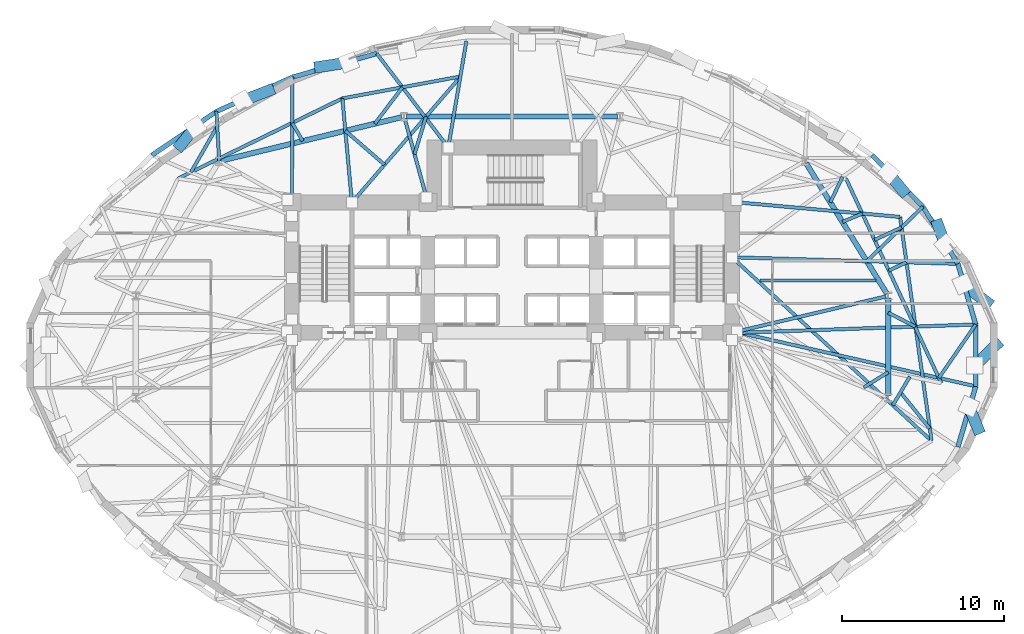
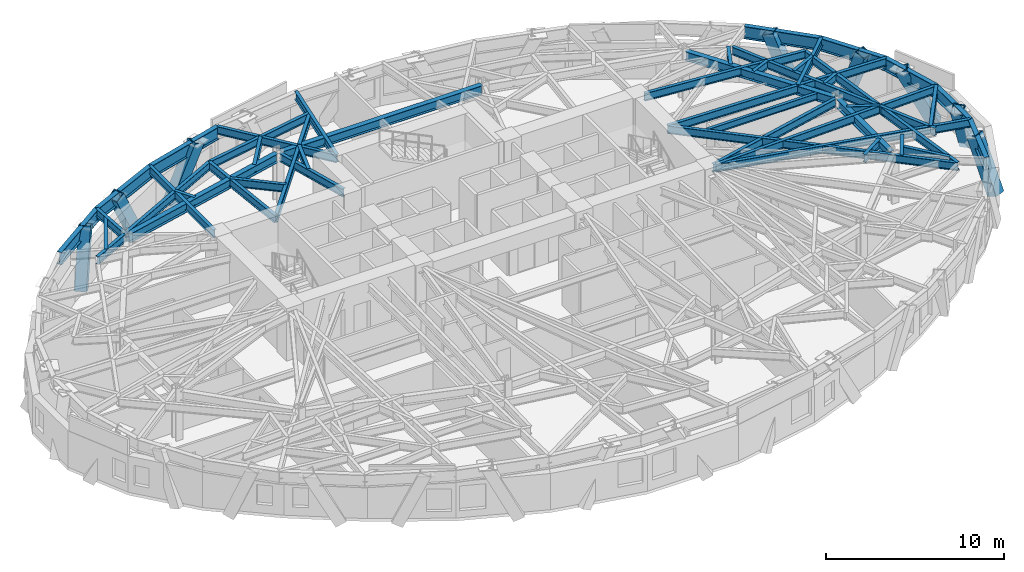
# One storey, part 4 of 14: 45 beams, 8 members.
"""IFC4 building model written with IfcOpenShell, lengths in metres."""

from ifc_helpers import new_model, si_unit, direction, frame, origin, origin_2d, place, context, subcontext, project, spatial, hollow_rectangle, i_section, extrude, material, material_profile, profile_set, type_object, element, save


model = new_model("IFC4")

# Units and contexts
model_context = context("Model", 3, precision=1e-05, world=origin(), true_north=direction((0.0, 1.0)))
body_context = subcontext(model_context, "Body", "Model", "MODEL_VIEW")
ifc_project = project(units=[si_unit("LENGTHUNIT", "METRE"), si_unit("AREAUNIT", "SQUARE_METRE"), si_unit("VOLUMEUNIT", "CUBIC_METRE"), si_unit("PLANEANGLEUNIT", "RADIAN"), si_unit("MASSUNIT", "GRAM", prefix="KILO")], contexts=[model_context])

# Site, building, storey
site_placement = place(None, origin())
site = spatial("IfcSite", under=ifc_project, at=site_placement, CompositionType="ELEMENT")
building_placement = place(site_placement, origin())
building = spatial("IfcBuilding", under=site, at=building_placement, Name="Keldmark Tower", CompositionType="ELEMENT")
storey_placement = place(building_placement, frame((0.0, 0.0, 73.800048828125)))
storey = spatial("IfcBuildingStorey", under=building, at=storey_placement, Name="L19", CompositionType="ELEMENT", Elevation=73.800048828125)

# Beam
ifc_material_1 = material(Name="Steel ASTM A992 Grade 50", Category="steel")
ifc_material_profile_1 = material_profile(ifc_material_1, i_section(OverallWidth=0.19091796875, OverallDepth=0.45703125, WebThickness=0.009033203125, FlangeThickness=0.014404296875, at=origin_2d()), Name="W18X50")
ifc_profile_set_1 = profile_set([ifc_material_profile_1], Name="Steel ASTM A992 Grade 50")
beam_type_1 = type_object("IfcBeamType", Name="Composite Floor Joist W18X50", PredefinedType="JOIST", material=ifc_profile_set_1)
beam_1_placement = place(storey_placement, frame((15.313720703125, 4.6201171875, 3.13134765625), z_axis=(1.0, 0.0, 0.0), x_axis=(0.0, 1.0, 0.0)))
element("IfcBeam", 1, at=beam_1_placement, inside=storey, type_object=beam_type_1, Name="L19 Composite Floor Joist J09", PredefinedType="JOIST", context=body_context, shape_type="SweptSolid", body=[
    extrude(i_section(OverallWidth=0.19091796875, OverallDepth=0.45703125, WebThickness=0.009033203125, FlangeThickness=0.014404296875, at=origin_2d()), origin(), (0.0, 0.0, 1.0), 7.17578125),
])

# Members
ifc_material_2 = material(Name="Steel ASTM A572 Grade 50", Category="steel")
ifc_material_profile_2 = material_profile(ifc_material_2, hollow_rectangle(XDim=0.699951171875, YDim=0.699951171875, WallThickness=0.054931640625, at=origin_2d()), Name="BOX700X700X55")
ifc_profile_set_2 = profile_set([ifc_material_profile_2], Name="Steel ASTM A572 Grade 50")
member_type = type_object("IfcMemberType", Name="Diagrid Zone 1 Brace BOX700X700X55", PredefinedType="BRACE", material=ifc_profile_set_2)
member_1_placement = place(storey_placement, frame((29.375244140625, 3.27001953125, -0.280029296875), z_axis=(-0.37757544969, 0.284113759132, 0.88131501273), x_axis=(-0.601261799092, -0.799052094017, 0.0)))
element("IfcMember", 2, at=member_1_placement, inside=storey, type_object=member_type, Name="L19 Perimeter Diagrid Brace 01A", PredefinedType="BRACE", context=body_context, shape_type="SweptSolid", body=[
    extrude(hollow_rectangle(XDim=0.699951171875, YDim=0.699951171875, WallThickness=0.054931640625, at=origin_2d()), origin(), (0.0, 0.0, 1.0), 3.994140625),
])
member_2_placement = place(storey_placement, frame((26.325439453125, 8.06640625, -0.280029296875), z_axis=(0.121424360733, -0.331239945047, 0.935700926272), x_axis=(0.938904059166, 0.344178976234, 0.0)))
element("IfcMember", 3, at=member_2_placement, inside=storey, type_object=member_type, Name="L19 Perimeter Diagrid Brace 01B", PredefinedType="BRACE", context=body_context, shape_type="SweptSolid", body=[
    extrude(hollow_rectangle(XDim=0.699951171875, YDim=0.699951171875, WallThickness=0.054931640625, at=origin_2d()), origin(), (0.0, 0.0, 1.0), 3.761962890625),
])
member_3_placement = place(storey_placement, frame((24.177001953125, 10.166259765625, -0.280029296875), z_axis=(-0.242141041562, 0.293391556055, 0.924818420463), x_axis=(-0.771253245277, -0.636528421714, 0.0)))
element("IfcMember", 4, at=member_3_placement, inside=storey, type_object=member_type, Name="L19 Perimeter Diagrid Brace 02A", PredefinedType="BRACE", context=body_context, shape_type="SweptSolid", body=[
    extrude(hollow_rectangle(XDim=0.699951171875, YDim=0.699951171875, WallThickness=0.054931640625, at=origin_2d()), origin(), (0.0, 0.0, 1.0), 3.80615234375),
])
member_4_placement = place(storey_placement, frame((-11.904052734375, 17.832275390625, -0.280029296875), z_axis=(0.45861610418, 0.07120375951, 0.885777225728), x_axis=(-0.153419788368, 0.988161104546, 0.0)))
element("IfcMember", 5, at=member_4_placement, inside=storey, type_object=member_type, Name="L19 Perimeter Diagrid Brace 05B", PredefinedType="BRACE", context=body_context, shape_type="SweptSolid", body=[
    extrude(hollow_rectangle(XDim=0.699951171875, YDim=0.699951171875, WallThickness=0.054931640625, at=origin_2d()), origin(), (0.0, 0.0, 1.0), 3.973876953125),
])
member_5_placement = place(storey_placement, frame((-15.006103515625, 16.376953125, -0.280029296875), z_axis=(-0.423112479896, -0.164090510389, 0.891094907266), x_axis=(0.361578591551, -0.932341633808, 0.0)))
element("IfcMember", 6, at=member_5_placement, inside=storey, type_object=member_type, Name="L19 Perimeter Diagrid Brace 06A", PredefinedType="BRACE", context=body_context, shape_type="SweptSolid", body=[
    extrude(hollow_rectangle(XDim=0.699951171875, YDim=0.699951171875, WallThickness=0.054931640625, at=origin_2d()), origin(), (0.0, 0.0, 1.0), 3.9501953125),
])
member_6_placement = place(storey_placement, frame((-20.49462890625, 12.9912109375, -0.280029296875), z_axis=(0.244267448421, 0.297588932837, 0.922916161249), x_axis=(-0.772956287319, 0.634459279933, 0.0)))
element("IfcMember", 7, at=member_6_placement, inside=storey, type_object=member_type, Name="L19 Perimeter Diagrid Brace 06B", PredefinedType="BRACE", context=body_context, shape_type="SweptSolid", body=[
    extrude(hollow_rectangle(XDim=0.699951171875, YDim=0.699951171875, WallThickness=0.054931640625, at=origin_2d()), origin(), (0.0, 0.0, 1.0), 3.81396484375),
])
member_7_placement = place(storey_placement, frame((28.808349609375, -4.53076171875, -0.280029296875), z_axis=(-0.149368240201, 0.362477989142, 0.919945018035), x_axis=(-0.924576949637, -0.380995359814, 0.0)))
element("IfcMember", 8, at=member_7_placement, inside=storey, type_object=member_type, Name="L19 Perimeter Diagrid Brace 16A", PredefinedType="BRACE", context=body_context, shape_type="SweptSolid", body=[
    extrude(hollow_rectangle(XDim=0.699951171875, YDim=0.699951171875, WallThickness=0.054931640625, at=origin_2d()), origin(), (0.0, 0.0, 1.0), 3.826416015625),
])
member_8_placement = place(storey_placement, frame((29.9443359375, 0.673828125, -0.280029296875), z_axis=(-0.336785212573, -0.327293992946, 0.882867126341), x_axis=(0.696929421312, -0.717139722585, 0.0)))
element("IfcMember", 9, at=member_8_placement, inside=storey, type_object=member_type, Name="L19 Perimeter Diagrid Brace 16B", PredefinedType="BRACE", context=body_context, shape_type="SweptSolid", body=[
    extrude(hollow_rectangle(XDim=0.699951171875, YDim=0.699951171875, WallThickness=0.054931640625, at=origin_2d()), origin(), (0.0, 0.0, 1.0), 3.987060546875),
])

# Beams
ifc_material_3 = material(Name="Steel ASTM A992 Grade 50", Category="steel")
ifc_material_profile_3 = material_profile(ifc_material_3, i_section(OverallWidth=0.323974609375, OverallDepth=0.611083984375, WebThickness=0.0126953125, FlangeThickness=0.01904296875, at=origin_2d()), Name="W24X104")
ifc_profile_set_3 = profile_set([ifc_material_profile_3], Name="Steel ASTM A992 Grade 50")
beam_type_2 = type_object("IfcBeamType", Name="Primary Floor Girder W24X104", PredefinedType="BEAM", material=ifc_profile_set_3)
beam_2_placement = place(storey_placement, frame((23.180419921875, 3.796142578125, 3.054443359375), z_axis=(-0.526318405849, 0.850287560573, 0.0), x_axis=(-0.850287560573, -0.526318405849, 0.0)))
element("IfcBeam", 10, at=beam_2_placement, inside=storey, type_object=beam_type_2, Name="L19 Floor Ring Girder FG-R01", PredefinedType="BEAM", context=body_context, shape_type="SweptSolid", body=[
    extrude(i_section(OverallWidth=0.323974609375, OverallDepth=0.611083984375, WebThickness=0.0126953125, FlangeThickness=0.01904296875, at=origin_2d()), origin(), (0.0, 0.0, 1.0), 9.51708984375),
])
beam_3_placement = place(storey_placement, frame((6.525146484375, 14.760009765625, 3.054443359375), z_axis=(-1.0, 0.0, 0.0), x_axis=(0.0, -1.0, 0.0)))
element("IfcBeam", 11, at=beam_3_placement, inside=storey, type_object=beam_type_2, Name="L19 Floor Ring Girder FG-R03", PredefinedType="BEAM", context=body_context, shape_type="SweptSolid", body=[
    extrude(i_section(OverallWidth=0.323974609375, OverallDepth=0.611083984375, WebThickness=0.0126953125, FlangeThickness=0.01904296875, at=origin_2d()), origin(), (0.0, 0.0, 1.0), 13.05029296875),
])
beam_4_placement = place(storey_placement, frame((-6.80126953125, 14.727294921875, 3.054443359375), z_axis=(-0.972218707757, -0.2340743136, 0.0), x_axis=(0.2340743136, -0.972218707757, 0.0)))
element("IfcBeam", 12, at=beam_4_placement, inside=storey, type_object=beam_type_2, Name="L19 Floor Ring Girder FG-R04", PredefinedType="BEAM", context=body_context, shape_type="SweptSolid", body=[
    extrude(i_section(OverallWidth=0.323974609375, OverallDepth=0.611083984375, WebThickness=0.0126953125, FlangeThickness=0.01904296875, at=origin_2d()), origin(), (0.0, 0.0, 1.0), 11.479248046875),
])
beam_5_placement = place(storey_placement, frame((23.25390625, -2.47314453125, 3.054443359375), z_axis=(0.0, 1.0, 0.0), x_axis=(-1.0, 0.0, 0.0)))
element("IfcBeam", 13, at=beam_5_placement, inside=storey, type_object=beam_type_2, Name="L19 Floor Ring Girder FG-R12", PredefinedType="BEAM", context=body_context, shape_type="SweptSolid", body=[
    extrude(i_section(OverallWidth=0.323974609375, OverallDepth=0.611083984375, WebThickness=0.0126953125, FlangeThickness=0.01904296875, at=origin_2d()), origin(), (0.0, 0.0, 1.0), 6.01025390625),
])
ifc_material_4 = material(Name="Steel ASTM A992 Grade 50", Category="steel")
ifc_material_profile_4 = material_profile(ifc_material_4, i_section(OverallWidth=0.2099609375, OverallDepth=0.537109375, WebThickness=0.010986328125, FlangeThickness=0.017333984375, at=origin_2d()), Name="W21X68")
ifc_profile_set_4 = profile_set([ifc_material_profile_4], Name="Steel ASTM A992 Grade 50")
beam_type_3 = type_object("IfcBeamType", Name="Radial Tie Girder W21X68", PredefinedType="BEAM", material=ifc_profile_set_4)
beam_6_placement = place(storey_placement, frame((-6.023681640625, 12.43505859375, 3.091552734375), z_axis=(0.292695535951, 0.956205690861, 0.0), x_axis=(-0.956205690861, 0.292695535951, 0.0)))
element("IfcBeam", 14, at=beam_6_placement, inside=storey, type_object=beam_type_3, Name="L19 Framing Pin Header PH-004", PredefinedType="BEAM", context=body_context, shape_type="SweptSolid", body=[
    extrude(i_section(OverallWidth=0.2099609375, OverallDepth=0.537109375, WebThickness=0.010986328125, FlangeThickness=0.017333984375, at=origin_2d()), origin(), (0.0, 0.0, 1.0), 2.431396484375),
])
beam_7_placement = place(storey_placement, frame((-9.892822265625, 9.449951171875, 3.091552734375), z_axis=(0.653199645418, 0.757185725714, 0.0), x_axis=(-0.757185725714, 0.653199645418, 0.0)))
element("IfcBeam", 15, at=beam_7_placement, inside=storey, type_object=beam_type_3, Name="L19 Sub-Ring Step Girder STP1-M04", PredefinedType="BEAM", context=body_context, shape_type="SweptSolid", body=[
    extrude(i_section(OverallWidth=0.2099609375, OverallDepth=0.537109375, WebThickness=0.010986328125, FlangeThickness=0.017333984375, at=origin_2d()), origin(), (0.0, 0.0, 1.0), 10.2880859375),
])
beam_8_placement = place(storey_placement, frame((-7.876708984375, 11.787109375, 3.091552734375), z_axis=(-0.756086045055, 0.654472224371, 0.0), x_axis=(-0.654472224371, -0.756086045055, 0.0)))
element("IfcBeam", 16, at=beam_8_placement, inside=storey, type_object=beam_type_3, Name="L19 Framing Pin Header PH-005", PredefinedType="BEAM", context=body_context, shape_type="SweptSolid", body=[
    extrude(i_section(OverallWidth=0.2099609375, OverallDepth=0.537109375, WebThickness=0.010986328125, FlangeThickness=0.017333984375, at=origin_2d()), origin(), (0.0, 0.0, 1.0), 3.205078125),
])
beam_9_placement = place(storey_placement, frame((-9.892822265625, 9.449951171875, 3.091552734375), z_axis=(-0.091445392317, 0.995810092449, 0.0), x_axis=(-0.995810092449, -0.091445392317, 0.0)))
element("IfcBeam", 17, at=beam_9_placement, inside=storey, type_object=beam_type_3, Name="L19 Sub-Ring Step Girder STP1-M05", PredefinedType="BEAM", context=body_context, shape_type="SweptSolid", body=[
    extrude(i_section(OverallWidth=0.2099609375, OverallDepth=0.537109375, WebThickness=0.010986328125, FlangeThickness=0.017333984375, at=origin_2d()), origin(), (0.0, 0.0, 1.0), 6.4609375),
])
beam_10_placement = place(storey_placement, frame((21.740234375, -1.98388671875, 3.091552734375), z_axis=(0.847321968581, 0.531079543533, 0.0), x_axis=(-0.531079543533, 0.847321968581, 0.0)))
element("IfcBeam", 18, at=beam_10_placement, inside=storey, type_object=beam_type_3, Name="L19 Framing Pin Header PH-008", PredefinedType="BEAM", context=body_context, shape_type="SweptSolid", body=[
    extrude(i_section(OverallWidth=0.2099609375, OverallDepth=0.537109375, WebThickness=0.010986328125, FlangeThickness=0.017333984375, at=origin_2d()), origin(), (0.0, 0.0, 1.0), 1.786376953125),
])
beam_11_placement = place(storey_placement, frame((-3.172607421875, 17.239990234375, 3.091552734375), z_axis=(-0.983226438752, -0.182389062555, 0.0), x_axis=(0.182389062555, -0.983226438752, 0.0)))
element("IfcBeam", 19, at=beam_11_placement, inside=storey, type_object=beam_type_3, Name="L19 Perimeter Collector Ring Beam CRG1-M04", PredefinedType="BEAM", context=body_context, shape_type="SweptSolid", body=[
    extrude(i_section(OverallWidth=0.2099609375, OverallDepth=0.537109375, WebThickness=0.010986328125, FlangeThickness=0.017333984375, at=origin_2d()), origin(), (0.0, 0.0, 1.0), 7.435791015625),
])
beam_12_placement = place(storey_placement, frame((-10.483642578125, 15.8837890625, 3.091552734375), z_axis=(-0.898887784258, -0.438178903316, 0.0), x_axis=(0.438178903316, -0.898887784258, 0.0)))
element("IfcBeam", 20, at=beam_12_placement, inside=storey, type_object=beam_type_3, Name="L19 Perimeter Collector Ring Beam CRG1-M05", PredefinedType="BEAM", context=body_context, shape_type="SweptSolid", body=[
    extrude(i_section(OverallWidth=0.2099609375, OverallDepth=0.537109375, WebThickness=0.010986328125, FlangeThickness=0.017333984375, at=origin_2d()), origin(), (0.0, 0.0, 1.0), 11.30224609375),
])
beam_13_placement = place(storey_placement, frame((26.531982421875, -1.709228515625, 3.091552734375), z_axis=(-0.422294024081, 0.906458910942, 0.0), x_axis=(-0.906458910942, -0.422294024081, 0.0)))
element("IfcBeam", 21, at=beam_13_placement, inside=storey, type_object=beam_type_3, Name="L19 Perimeter Collector Ring Beam CRG1-M12", PredefinedType="BEAM", context=body_context, shape_type="SweptSolid", body=[
    extrude(i_section(OverallWidth=0.2099609375, OverallDepth=0.537109375, WebThickness=0.010986328125, FlangeThickness=0.017333984375, at=origin_2d()), origin(), (0.0, 0.0, 1.0), 13.945068359375),
])
beam_14_placement = place(storey_placement, frame((20.42529296875, 8.246826171875, 3.091552734375), z_axis=(0.920297918394, 0.391218278457, 0.0), x_axis=(-0.391218278457, 0.920297918394, 0.0)))
element("IfcBeam", 22, at=beam_14_placement, inside=storey, type_object=beam_type_3, Name="L19 Framing Pin Header PH-009", PredefinedType="BEAM", context=body_context, shape_type="SweptSolid", body=[
    extrude(i_section(OverallWidth=0.2099609375, OverallDepth=0.537109375, WebThickness=0.010986328125, FlangeThickness=0.017333984375, at=origin_2d()), origin(), (0.0, 0.0, 1.0), 1.331787109375),
])
beam_15_placement = place(storey_placement, frame((14.050048828125, 9.449951171875, 3.091552734375), z_axis=(0.995997234425, -0.089384053491, 0.0), x_axis=(0.089384053491, 0.995997234425, 0.0)))
element("IfcBeam", 23, at=beam_15_placement, inside=storey, type_object=beam_type_3, Name="L19 Sub-Ring Step Girder STP2-M01", PredefinedType="BEAM", context=body_context, shape_type="SweptSolid", body=[
    extrude(i_section(OverallWidth=0.2099609375, OverallDepth=0.537109375, WebThickness=0.010986328125, FlangeThickness=0.017333984375, at=origin_2d()), origin(), (0.0, 0.0, 1.0), 9.977783203125),
])
beam_16_placement = place(storey_placement, frame((24.592041015625, -1.310302734375, 3.091552734375), z_axis=(-0.511652587051, -0.859192429066, 0.0), x_axis=(0.859192429066, -0.511652587051, 0.0)))
element("IfcBeam", 24, at=beam_16_placement, inside=storey, type_object=beam_type_3, Name="L19 Framing Pin Header PH-013", PredefinedType="BEAM", context=body_context, shape_type="SweptSolid", body=[
    extrude(i_section(OverallWidth=0.2099609375, OverallDepth=0.537109375, WebThickness=0.010986328125, FlangeThickness=0.017333984375, at=origin_2d()), origin(), (0.0, 0.0, 1.0), 2.060302734375),
])
beam_17_placement = place(storey_placement, frame((13.60009765625, 6.064208984375, 3.091552734375), z_axis=(0.735853189051, -0.677141110968, 0.0), x_axis=(0.677141110968, 0.735853189051, 0.0)))
element("IfcBeam", 25, at=beam_17_placement, inside=storey, type_object=beam_type_3, Name="L19 Sub-Ring Step Girder STP2-M12", PredefinedType="BEAM", context=body_context, shape_type="SweptSolid", body=[
    extrude(i_section(OverallWidth=0.2099609375, OverallDepth=0.537109375, WebThickness=0.010986328125, FlangeThickness=0.017333984375, at=origin_2d()), origin(), (0.0, 0.0, 1.0), 16.7578125),
])
beam_18_placement = place(storey_placement, frame((25.931396484375, -5.283203125, 3.091552734375), z_axis=(-0.139056245502, 0.990284484674, 0.0), x_axis=(-0.990284484674, -0.139056245502, 0.0)))
element("IfcBeam", 26, at=beam_18_placement, inside=storey, type_object=beam_type_3, Name="L19 Perimeter Collector Ring Beam CRG2-M12", PredefinedType="BEAM", context=body_context, shape_type="SweptSolid", body=[
    extrude(i_section(OverallWidth=0.2099609375, OverallDepth=0.537109375, WebThickness=0.010986328125, FlangeThickness=0.017333984375, at=origin_2d()), origin(), (0.0, 0.0, 1.0), 13.97705078125),
])
beam_19_placement = place(storey_placement, frame((23.25390625, 2.635498046875, 3.091552734375), z_axis=(0.891932970561, -0.452167641507, 0.0), x_axis=(0.452167641507, 0.891932970561, 0.0)))
element("IfcBeam", 27, at=beam_19_placement, inside=storey, type_object=beam_type_3, Name="L19 Framing Pin Header PH-014", PredefinedType="BEAM", context=body_context, shape_type="SweptSolid", body=[
    extrude(i_section(OverallWidth=0.2099609375, OverallDepth=0.537109375, WebThickness=0.010986328125, FlangeThickness=0.017333984375, at=origin_2d()), origin(), (0.0, 0.0, 1.0), 1.8896484375),
])
beam_20_placement = place(storey_placement, frame((14.050048828125, 1.39990234375, 3.091552734375), z_axis=(0.999387875349, 0.034983919243, 0.0), x_axis=(-0.034983919243, 0.999387875349, 0.0)))
element("IfcBeam", 28, at=beam_20_placement, inside=storey, type_object=beam_type_3, Name="L19 Perimeter Radial Tie Girder RT-01", PredefinedType="BEAM", context=body_context, shape_type="SweptSolid", body=[
    extrude(i_section(OverallWidth=0.2099609375, OverallDepth=0.537109375, WebThickness=0.010986328125, FlangeThickness=0.017333984375, at=origin_2d()), origin(), (0.0, 0.0, 1.0), 14.620361328125),
])
beam_21_placement = place(storey_placement, frame((23.29296875, 5.2431640625, 3.091552734375), z_axis=(0.905819600302, 0.423663606778, 0.0), x_axis=(-0.423663606778, 0.905819600302, 0.0)))
element("IfcBeam", 29, at=beam_21_placement, inside=storey, type_object=beam_type_3, Name="L19 Framing Pin Header PH-015", PredefinedType="BEAM", context=body_context, shape_type="SweptSolid", body=[
    extrude(i_section(OverallWidth=0.2099609375, OverallDepth=0.537109375, WebThickness=0.010986328125, FlangeThickness=0.017333984375, at=origin_2d()), origin(), (0.0, 0.0, 1.0), 1.2021484375),
])
beam_22_placement = place(storey_placement, frame((13.60009765625, 6.064208984375, 3.091552734375), z_axis=(0.999582390389, -0.028897142156, 0.0), x_axis=(0.028897142156, 0.999582390389, 0.0)))
element("IfcBeam", 30, at=beam_22_placement, inside=storey, type_object=beam_type_3, Name="L19 Perimeter Radial Tie Girder RT-02", PredefinedType="BEAM", context=body_context, shape_type="SweptSolid", body=[
    extrude(i_section(OverallWidth=0.2099609375, OverallDepth=0.537109375, WebThickness=0.010986328125, FlangeThickness=0.017333984375, at=origin_2d()), origin(), (0.0, 0.0, 1.0), 13.965576171875),
])
beam_23_placement = place(storey_placement, frame((22.40966796875, 7.13916015625, 3.091552734375), z_axis=(0.90806041277, 0.418839213494, 0.0), x_axis=(-0.418839213494, 0.90806041277, 0.0)))
element("IfcBeam", 31, at=beam_23_placement, inside=storey, type_object=beam_type_3, Name="L19 Framing Pin Header PH-016", PredefinedType="BEAM", context=body_context, shape_type="SweptSolid", body=[
    extrude(i_section(OverallWidth=0.2099609375, OverallDepth=0.537109375, WebThickness=0.010986328125, FlangeThickness=0.017333984375, at=origin_2d()), origin(), (0.0, 0.0, 1.0), 1.83837890625),
])
beam_24_placement = place(storey_placement, frame((21.927978515625, 5.8193359375, 3.091552734375), z_axis=(0.717222475954, 0.696844258057, 0.0), x_axis=(-0.696844258057, 0.717222475954, 0.0)))
element("IfcBeam", 32, at=beam_24_placement, inside=storey, type_object=beam_type_3, Name="L19 Perimeter Radial Tie Girder RT-03", PredefinedType="BEAM", context=body_context, shape_type="SweptSolid", body=[
    extrude(i_section(OverallWidth=0.2099609375, OverallDepth=0.537109375, WebThickness=0.010986328125, FlangeThickness=0.017333984375, at=origin_2d()), origin(), (0.0, 0.0, 1.0), 4.840087890625),
])
beam_25_placement = place(storey_placement, frame((19.674072265625, 9.460693359375, 3.091552734375), z_axis=(0.43222202052, 0.901767223278, 0.0), x_axis=(-0.901767223278, 0.43222202052, 0.0)))
element("IfcBeam", 33, at=beam_25_placement, inside=storey, type_object=beam_type_3, Name="L19 Framing Pin Header PH-017", PredefinedType="BEAM", context=body_context, shape_type="SweptSolid", body=[
    extrude(i_section(OverallWidth=0.2099609375, OverallDepth=0.537109375, WebThickness=0.010986328125, FlangeThickness=0.017333984375, at=origin_2d()), origin(), (0.0, 0.0, 1.0), 1.74658203125),
])
beam_26_placement = place(storey_placement, frame((-3.9375, 12.85009765625, 3.091552734375), z_axis=(0.167595137115, 0.985855907329, 0.0), x_axis=(-0.985855907329, 0.167595137115, 0.0)))
element("IfcBeam", 34, at=beam_26_placement, inside=storey, type_object=beam_type_3, Name="L19 Perimeter Radial Tie Girder RT-09", PredefinedType="BEAM", context=body_context, shape_type="SweptSolid", body=[
    extrude(i_section(OverallWidth=0.2099609375, OverallDepth=0.537109375, WebThickness=0.010986328125, FlangeThickness=0.017333984375, at=origin_2d()), origin(), (0.0, 0.0, 1.0), 6.64990234375),
])
beam_27_placement = place(storey_placement, frame((-8.475341796875, 14.32421875, 3.091552734375), z_axis=(0.604104239803, 0.796905306453, 0.0), x_axis=(-0.796905306453, 0.604104239803, 0.0)))
element("IfcBeam", 35, at=beam_27_placement, inside=storey, type_object=beam_type_3, Name="L19 Framing Pin Header PH-020", PredefinedType="BEAM", context=body_context, shape_type="SweptSolid", body=[
    extrude(i_section(OverallWidth=0.2099609375, OverallDepth=0.537109375, WebThickness=0.010986328125, FlangeThickness=0.017333984375, at=origin_2d()), origin(), (0.0, 0.0, 1.0), 2.8212890625),
])
beam_28_placement = place(storey_placement, frame((-3.9375, 12.85009765625, 3.091552734375), z_axis=(-0.605671432764, 0.795714845616, 0.0), x_axis=(-0.795714845616, -0.605671432764, 0.0)))
element("IfcBeam", 36, at=beam_28_placement, inside=storey, type_object=beam_type_3, Name="L19 Perimeter Radial Tie Girder RT-10", PredefinedType="BEAM", context=body_context, shape_type="SweptSolid", body=[
    extrude(i_section(OverallWidth=0.2099609375, OverallDepth=0.537109375, WebThickness=0.010986328125, FlangeThickness=0.017333984375, at=origin_2d()), origin(), (0.0, 0.0, 1.0), 7.302001953125),
])
beam_29_placement = place(storey_placement, frame((-12.939453125, 13.249267578125, 3.091552734375), z_axis=(-0.498857172515, 0.866684210904, 0.0), x_axis=(-0.866684210904, -0.498857172515, 0.0)))
element("IfcBeam", 37, at=beam_29_placement, inside=storey, type_object=beam_type_3, Name="L19 Framing Pin Header PH-021", PredefinedType="BEAM", context=body_context, shape_type="SweptSolid", body=[
    extrude(i_section(OverallWidth=0.2099609375, OverallDepth=0.537109375, WebThickness=0.010986328125, FlangeThickness=0.017333984375, at=origin_2d()), origin(), (0.0, 0.0, 1.0), 1.294921875),
])
beam_30_placement = place(storey_placement, frame((-13.60009765625, 9.89990234375, 3.091552734375), z_axis=(0.003278561216, 0.999994625504, 0.0), x_axis=(-0.999994625504, 0.003278561216, 0.0)))
element("IfcBeam", 38, at=beam_30_placement, inside=storey, type_object=beam_type_3, Name="L19 Perimeter Radial Tie Girder RT-11", PredefinedType="BEAM", context=body_context, shape_type="SweptSolid", body=[
    extrude(i_section(OverallWidth=0.2099609375, OverallDepth=0.537109375, WebThickness=0.010986328125, FlangeThickness=0.017333984375, at=origin_2d()), origin(), (0.0, 0.0, 1.0), 7.297607421875),
])
beam_31_placement = place(storey_placement, frame((-18.09765625, 12.00732421875, 3.091552734375), z_axis=(-0.056280082342, 0.998415020085, 0.0), x_axis=(-0.998415020085, -0.056280082342, 0.0)))
element("IfcBeam", 39, at=beam_31_placement, inside=storey, type_object=beam_type_3, Name="L19 Perimeter Column Bracket RT-12", PredefinedType="BEAM", context=body_context, shape_type="SweptSolid", body=[
    extrude(i_section(OverallWidth=0.2099609375, OverallDepth=0.537109375, WebThickness=0.010986328125, FlangeThickness=0.017333984375, at=origin_2d()), origin(), (0.0, 0.0, 1.0), 3.0712890625),
])
beam_32_placement = place(storey_placement, frame((-18.21875, 14.15380859375, 3.091552734375), z_axis=(-0.497105538156, -0.867690085189, 0.0), x_axis=(0.867690085189, -0.497105538156, 0.0)))
element("IfcBeam", 40, at=beam_32_placement, inside=storey, type_object=beam_type_3, Name="L19 Framing Pin Header PH-022", PredefinedType="BEAM", context=body_context, shape_type="SweptSolid", body=[
    extrude(i_section(OverallWidth=0.2099609375, OverallDepth=0.537109375, WebThickness=0.010986328125, FlangeThickness=0.017333984375, at=origin_2d()), origin(), (0.0, 0.0, 1.0), 3.262939453125),
])
beam_33_placement = place(storey_placement, frame((24.01220703125, -2.283935546875, 3.091552734375), z_axis=(0.629471408862, -0.777023645345, 0.0), x_axis=(0.777023645345, 0.629471408862, 0.0)))
element("IfcBeam", 41, at=beam_33_placement, inside=storey, type_object=beam_type_3, Name="L19 Framing Pin Header PH-046", PredefinedType="BEAM", context=body_context, shape_type="SweptSolid", body=[
    extrude(i_section(OverallWidth=0.2099609375, OverallDepth=0.537109375, WebThickness=0.010986328125, FlangeThickness=0.017333984375, at=origin_2d()), origin(), (0.0, 0.0, 1.0), 2.87890625),
])
beam_34_placement = place(storey_placement, frame((28.661376953125, 1.911376953125, 3.091552734375), z_axis=(-0.56689271293, -0.823791631438, 0.0), x_axis=(0.823791631438, -0.56689271293, 0.0)))
element("IfcBeam", 42, at=beam_34_placement, inside=storey, type_object=beam_type_3, Name="L19 Framing Pin Header PH-047", PredefinedType="BEAM", context=body_context, shape_type="SweptSolid", body=[
    extrude(i_section(OverallWidth=0.2099609375, OverallDepth=0.537109375, WebThickness=0.010986328125, FlangeThickness=0.017333984375, at=origin_2d()), origin(), (0.0, 0.0, 1.0), 4.01416015625),
])
beam_35_placement = place(storey_placement, frame((14.050048828125, 1.39990234375, 3.091552734375), z_axis=(0.975269375476, -0.221019558541, 0.0), x_axis=(0.221019558541, 0.975269375476, 0.0)))
element("IfcBeam", 43, at=beam_35_placement, inside=storey, type_object=beam_type_3, Name="L19 Perimeter Radial Tie Girder RT-32", PredefinedType="BEAM", context=body_context, shape_type="SweptSolid", body=[
    extrude(i_section(OverallWidth=0.2099609375, OverallDepth=0.537109375, WebThickness=0.010986328125, FlangeThickness=0.017333984375, at=origin_2d()), origin(), (0.0, 0.0, 1.0), 14.98193359375),
])
ifc_material_5 = material(Name="Steel ASTM A992 Grade 50", Category="steel")
ifc_material_profile_5 = material_profile(ifc_material_5, i_section(OverallWidth=0.214111328125, OverallDepth=0.549072265625, WebThickness=0.0146484375, FlangeThickness=0.023681640625, at=origin_2d()), Name="W21X93")
ifc_profile_set_5 = profile_set([ifc_material_profile_5], Name="Steel ASTM A992 Grade 50")
beam_type_4 = type_object("IfcBeamType", Name="Radial Tie Girder W21X93", PredefinedType="BEAM", material=ifc_profile_set_5)
beam_36_placement = place(storey_placement, frame((23.11767578125, 3.64501953125, 3.08544921875), z_axis=(-0.973287364179, -0.229590301909, 0.0), x_axis=(0.229590301909, -0.973287364179, 0.0)))
element("IfcBeam", 44, at=beam_36_placement, inside=storey, type_object=beam_type_4, Name="L19 Floor Radial Girder FG-C01", PredefinedType="BEAM", context=body_context, shape_type="SweptSolid", body=[
    extrude(i_section(OverallWidth=0.214111328125, OverallDepth=0.549072265625, WebThickness=0.0146484375, FlangeThickness=0.023681640625, at=origin_2d()), origin(), (0.0, 0.0, 1.0), 9.458740234375),
])
beam_37_placement = place(storey_placement, frame((-6.6279296875, 14.625, 3.08544921875), z_axis=(0.265984786353, -0.963977226613, 0.0), x_axis=(0.963977226613, 0.265984786353, 0.0)))
element("IfcBeam", 45, at=beam_37_placement, inside=storey, type_object=beam_type_4, Name="L19 Floor Radial Girder FG-C04", PredefinedType="BEAM", context=body_context, shape_type="SweptSolid", body=[
    extrude(i_section(OverallWidth=0.214111328125, OverallDepth=0.549072265625, WebThickness=0.0146484375, FlangeThickness=0.023681640625, at=origin_2d()), origin(), (0.0, 0.0, 1.0), 5.04833984375),
])
ifc_material_6 = material(Name="Steel ASTM A992 Grade 50", Category="steel")
ifc_material_profile_6 = material_profile(ifc_material_6, i_section(OverallWidth=0.2919921875, OverallDepth=0.85888671875, WebThickness=0.01708984375, FlangeThickness=0.031005859375, at=origin_2d()), Name="W33X169")
ifc_profile_set_6 = profile_set([ifc_material_profile_6], Name="Steel ASTM A992 Grade 50")
beam_type_5 = type_object("IfcBeamType", Name="Spandrel Ring Beam W33X169", PredefinedType="SPANDREL", material=ifc_profile_set_6)
beam_38_placement = place(storey_placement, frame((28.661376953125, 1.911376953125, 2.930419921875), z_axis=(-0.281892332735, 0.959446044728, 0.0), x_axis=(-0.959446044728, -0.281892332735, 0.0)))
element("IfcBeam", 46, at=beam_38_placement, inside=storey, type_object=beam_type_5, Name="L19 Perimeter Spandrel Ring Beam SRB-01", PredefinedType="SPANDREL", context=body_context, shape_type="SweptSolid", body=[
    extrude(i_section(OverallWidth=0.2919921875, OverallDepth=0.85888671875, WebThickness=0.01708984375, FlangeThickness=0.031005859375, at=origin_2d()), origin(), (0.0, 0.0, 1.0), 3.90771484375),
])
beam_39_placement = place(storey_placement, frame((27.559814453125, 5.66064453125, 2.930419921875), z_axis=(-0.521848315684, 0.853038296572, 0.0), x_axis=(-0.853038296572, -0.521848315684, 0.0)))
element("IfcBeam", 47, at=beam_39_placement, inside=storey, type_object=beam_type_5, Name="L19 Perimeter Spandrel Ring Beam SRB-02", PredefinedType="SPANDREL", context=body_context, shape_type="SweptSolid", body=[
    extrude(i_section(OverallWidth=0.2919921875, OverallDepth=0.85888671875, WebThickness=0.01708984375, FlangeThickness=0.031005859375, at=origin_2d()), origin(), (0.0, 0.0, 1.0), 4.139892578125),
])
beam_40_placement = place(storey_placement, frame((25.3994140625, 9.192138671875, 2.930419921875), z_axis=(-0.702416934119, 0.711765727373, 0.0), x_axis=(-0.711765727373, -0.702416934119, 0.0)))
element("IfcBeam", 48, at=beam_40_placement, inside=storey, type_object=beam_type_5, Name="L19 Perimeter Spandrel Ring Beam SRB-03", PredefinedType="SPANDREL", context=body_context, shape_type="SweptSolid", body=[
    extrude(i_section(OverallWidth=0.2919921875, OverallDepth=0.85888671875, WebThickness=0.01708984375, FlangeThickness=0.031005859375, at=origin_2d()), origin(), (0.0, 0.0, 1.0), 4.465576171875),
])
beam_41_placement = place(storey_placement, frame((-8.360107421875, 18.660400390625, 2.930419921875), z_axis=(-0.962849260033, -0.270039446109, 0.0), x_axis=(0.270039446109, -0.962849260033, 0.0)))
element("IfcBeam", 49, at=beam_41_placement, inside=storey, type_object=beam_type_5, Name="L19 Perimeter Spandrel Ring Beam SRB-10", PredefinedType="SPANDREL", context=body_context, shape_type="SweptSolid", body=[
    extrude(i_section(OverallWidth=0.2919921875, OverallDepth=0.85888671875, WebThickness=0.01708984375, FlangeThickness=0.031005859375, at=origin_2d()), origin(), (0.0, 0.0, 1.0), 5.417236328125),
])
beam_42_placement = place(storey_placement, frame((-13.576171875, 17.197509765625, 2.930419921875), z_axis=(-0.911096907159, -0.412192219439, 0.0), x_axis=(0.412192219439, -0.911096907159, 0.0)))
element("IfcBeam", 50, at=beam_42_placement, inside=storey, type_object=beam_type_5, Name="L19 Perimeter Spandrel Ring Beam SRB-11", PredefinedType="SPANDREL", context=body_context, shape_type="SweptSolid", body=[
    extrude(i_section(OverallWidth=0.2919921875, OverallDepth=0.85888671875, WebThickness=0.01708984375, FlangeThickness=0.031005859375, at=origin_2d()), origin(), (0.0, 0.0, 1.0), 5.15234375),
])
beam_43_placement = place(storey_placement, frame((-18.2705078125, 15.07373046875, 2.930419921875), z_axis=(-0.82804003003, -0.560668983151, 0.0), x_axis=(0.560668983151, -0.82804003003, 0.0)))
element("IfcBeam", 51, at=beam_43_placement, inside=storey, type_object=beam_type_5, Name="L19 Perimeter Spandrel Ring Beam SRB-12", PredefinedType="SPANDREL", context=body_context, shape_type="SweptSolid", body=[
    extrude(i_section(OverallWidth=0.2919921875, OverallDepth=0.85888671875, WebThickness=0.01708984375, FlangeThickness=0.031005859375, at=origin_2d()), origin(), (0.0, 0.0, 1.0), 4.8212890625),
])
beam_44_placement = place(storey_placement, frame((27.559814453125, -5.66064453125, 2.930419921875), z_axis=(0.281892332735, 0.959446044728, 0.0), x_axis=(-0.959446044728, 0.281892332735, 0.0)))
element("IfcBeam", 52, at=beam_44_placement, inside=storey, type_object=beam_type_5, Name="L19 Perimeter Spandrel Ring Beam SRB-31", PredefinedType="SPANDREL", context=body_context, shape_type="SweptSolid", body=[
    extrude(i_section(OverallWidth=0.2919921875, OverallDepth=0.85888671875, WebThickness=0.01708984375, FlangeThickness=0.031005859375, at=origin_2d()), origin(), (0.0, 0.0, 1.0), 3.90771484375),
])
beam_45_placement = place(storey_placement, frame((28.661376953125, -1.911376953125, 2.930419921875), z_axis=(0.0, 1.0, 0.0), x_axis=(-1.0, 0.0, 0.0)))
element("IfcBeam", 53, at=beam_45_placement, inside=storey, type_object=beam_type_5, Name="L19 Perimeter Spandrel Ring Beam SRB-32", PredefinedType="SPANDREL", context=body_context, shape_type="SweptSolid", body=[
    extrude(i_section(OverallWidth=0.2919921875, OverallDepth=0.85888671875, WebThickness=0.01708984375, FlangeThickness=0.031005859375, at=origin_2d()), origin(), (0.0, 0.0, 1.0), 3.82275390625),
])

save(model, "model.ifc")
